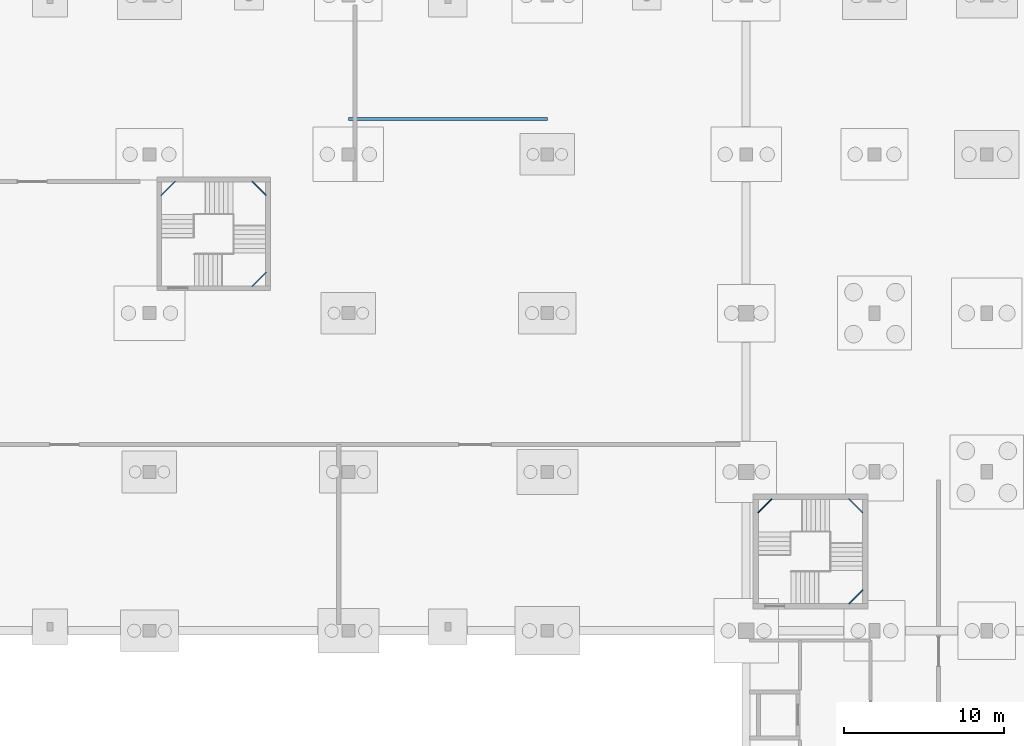
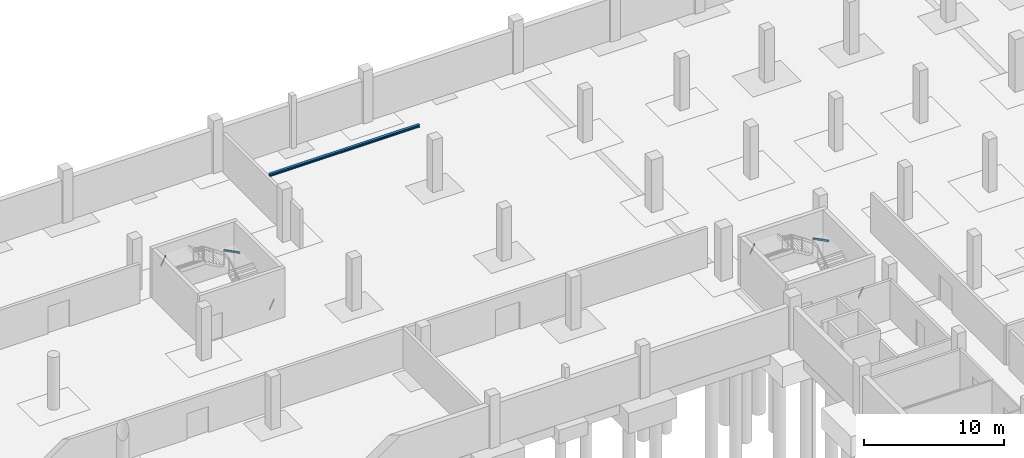
# One storey, part 9 of 30: 6 beams, 1 member.
"""IFC4 building model written with IfcOpenShell, lengths in metres."""

from ifc_helpers import new_model, si_unit, direction, frame, origin, origin_2d, place, context, subcontext, project, spatial, hollow_rectangle, i_section, extrude, material, material_profile, profile_set, type_object, element, save


model = new_model("IFC4")

# Units and contexts
model_context = context("Model", 3, precision=1e-05, world=origin(), true_north=direction((0.0, 1.0)))
body_context = subcontext(model_context, "Body", "Model", "MODEL_VIEW")
ifc_project = project(units=[si_unit("LENGTHUNIT", "METRE"), si_unit("AREAUNIT", "SQUARE_METRE"), si_unit("VOLUMEUNIT", "CUBIC_METRE"), si_unit("PLANEANGLEUNIT", "RADIAN"), si_unit("MASSUNIT", "GRAM", prefix="KILO")], contexts=[model_context])

# Site, building, storey
site_placement = place(None, origin())
site = spatial("IfcSite", under=ifc_project, at=site_placement, CompositionType="ELEMENT")
building_placement = place(site_placement, origin())
building = spatial("IfcBuilding", under=site, at=building_placement, Name="Sillaruma Civic Art Gallery", CompositionType="ELEMENT")
storey_placement = place(building_placement, frame((0.0, 0.0, -9.179931640625)))
storey = spatial("IfcBuildingStorey", under=building, at=storey_placement, Name="B02", CompositionType="ELEMENT", Elevation=-9.179931640625)

# Beams
ifc_material_1 = material(Name="Structural Steel ASTM A500 Gr.C", Category="steel")
ifc_material_profile_1 = material_profile(ifc_material_1, hollow_rectangle(XDim=0.080078125, YDim=0.159912109375, WallThickness=0.008056640625, InnerFilletRadius=0.008056640625, OuterFilletRadius=0.01611328125, at=origin_2d()), Name="HSS160x80x8")
ifc_profile_set_1 = profile_set([ifc_material_profile_1], Name="Structural Steel ASTM A500 Gr.C")
beam_type = type_object("IfcBeamType", Name="BM-LND-HSS160", PredefinedType="BEAM", material=ifc_profile_set_1)
for number, where, z_axis, x_axis, name in (
    (1, (31.18994140625, 100.659912109375, 0.909912109375), (0.707106781187, 0.707106781187, 0.0), (-0.707106781187, 0.707106781187, 0.0), "Stair Corner Landing Trimmer Beam (ST-01-B02-1)"),
    (2, (31.18994140625, 107.219970703125, 2.099853515625), (0.707203758046, -0.707009791025, 0.0), (0.707009791025, 0.707203758046, 0.0), "Stair Corner Landing Trimmer Beam (ST-01-B02-2)"),
):
    element("IfcBeam", number, at=place(storey_placement, frame(where, z_axis=z_axis, x_axis=x_axis)), inside=storey, type_object=beam_type, Name=name, PredefinedType="BEAM", context=body_context, shape_type="SweptSolid", body=[
        extrude(hollow_rectangle(XDim=0.080078125, YDim=0.159912109375, WallThickness=0.008056640625, InnerFilletRadius=0.008056640625, OuterFilletRadius=0.01611328125, at=origin_2d()), origin(), (0.0, 0.0, 1.0), 1.2587890625),
    ])
beam_placement = place(storey_placement, frame((25.52001953125, 106.330078125, 3.2900390625), z_axis=(0.707106781187, 0.707106781187, 0.0), x_axis=(-0.707106781187, 0.707106781187, 0.0)))
element("IfcBeam", 3, at=beam_placement, inside=storey, type_object=beam_type, Name="Stair Corner Landing Trimmer Beam (ST-01-B02-3)", PredefinedType="BEAM", context=body_context, shape_type="SweptSolid", body=[
    extrude(hollow_rectangle(XDim=0.080078125, YDim=0.159912109375, WallThickness=0.008056640625, InnerFilletRadius=0.008056640625, OuterFilletRadius=0.01611328125, at=origin_2d()), origin(), (0.0, 0.0, 1.0), 1.258544921875),
])
for number, where, z_axis, x_axis, name in (
    (4, (68.389892578125, 80.8701171875, 0.909912109375), (0.707203758046, 0.707009791025, 0.0), (-0.707009791025, 0.707203758046, 0.0), "Stair Corner Landing Trimmer Beam (ST-02-B02-1)"),
    (5, (68.389892578125, 87.429931640625, 2.099853515625), (0.707203758046, -0.707009791025, 0.0), (0.707009791025, 0.707203758046, 0.0), "Stair Corner Landing Trimmer Beam (ST-02-B02-2)"),
    (6, (62.719970703125, 86.5400390625, 3.2900390625), (0.707203758046, 0.707009791025, 0.0), (-0.707009791025, 0.707203758046, 0.0), "Stair Corner Landing Trimmer Beam (ST-02-B02-3)"),
):
    element("IfcBeam", number, at=place(storey_placement, frame(where, z_axis=z_axis, x_axis=x_axis)), inside=storey, type_object=beam_type, Name=name, PredefinedType="BEAM", context=body_context, shape_type="SweptSolid", body=[
        extrude(hollow_rectangle(XDim=0.080078125, YDim=0.159912109375, WallThickness=0.008056640625, InnerFilletRadius=0.008056640625, OuterFilletRadius=0.01611328125, at=origin_2d()), origin(), (0.0, 0.0, 1.0), 1.2587890625),
    ])

# Member
ifc_material_2 = material(Name="Structural Steel ASTM A992 Gr.50", Category="steel")
ifc_material_profile_2 = material_profile(ifc_material_2, i_section(OverallWidth=0.205078125, OverallDepth=0.2099609375, WebThickness=0.009033203125, FlangeThickness=0.01416015625, FilletRadius=0.010009765625, at=origin_2d()), Name="W200x59")
ifc_profile_set_2 = profile_set([ifc_material_profile_2], Name="Structural Steel ASTM A992 Gr.50")
member_type = type_object("IfcMemberType", Name="MEM-STRINGER-W200", PredefinedType="STRINGER", material=ifc_profile_set_2)
member_placement = place(storey_placement, frame((37.199951171875, 111.10009765625, 4.204833984375), z_axis=(1.0, 0.0, 0.0), x_axis=(0.0, 1.0, 0.0)))
element("IfcMember", 7, at=member_placement, inside=storey, type_object=member_type, Name="Feature Stair Floor Stringer (ST-G01)", PredefinedType="STRINGER", context=body_context, shape_type="SweptSolid", body=[
    extrude(i_section(OverallWidth=0.205078125, OverallDepth=0.2099609375, WebThickness=0.009033203125, FlangeThickness=0.01416015625, FilletRadius=0.010009765625, at=origin_2d()), origin(), (0.0, 0.0, 1.0), 12.400146484375),
])

save(model, "model.ifc")
